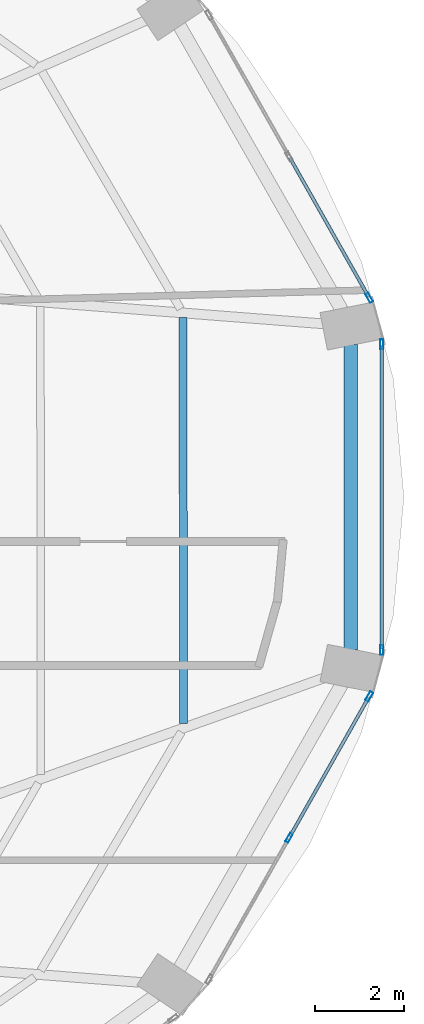
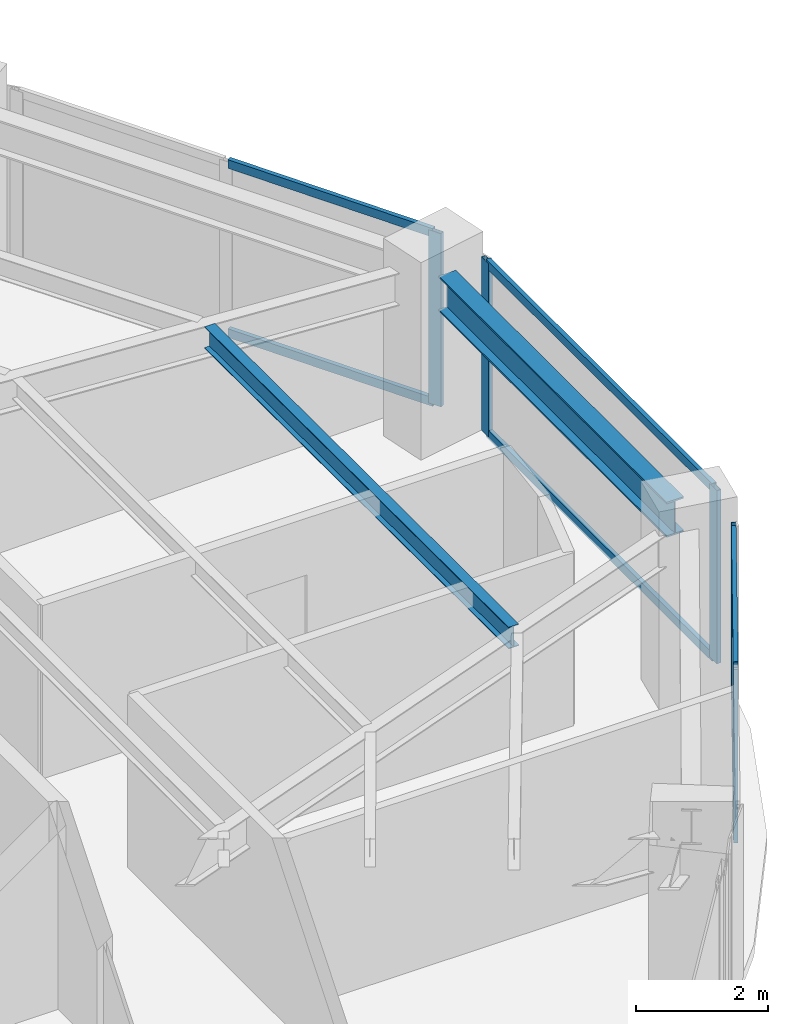
# One storey, part 12 of 24: 11 members, 2 beams, 3 elements without a shape of their own.
"""IFC4 building model written with IfcOpenShell, lengths in metres."""

from ifc_helpers import new_model, si_unit, direction, frame, origin, origin_2d, place, context, subcontext, project, spatial, hollow_rectangle, i_section, extrude, material, layer, layer_set, material_profile, profile_set, type_object, element, aggregate, save


model = new_model("IFC4")

# Units and contexts
model_context = context("Model", 3, precision=1e-05, world=origin(), true_north=direction((0.0, 1.0)))
body_context = subcontext(model_context, "Body", "Model", "MODEL_VIEW")
ifc_project = project(units=[si_unit("LENGTHUNIT", "METRE"), si_unit("AREAUNIT", "SQUARE_METRE"), si_unit("VOLUMEUNIT", "CUBIC_METRE"), si_unit("PLANEANGLEUNIT", "RADIAN"), si_unit("MASSUNIT", "GRAM", prefix="KILO")], contexts=[model_context])

# Site, building, storey
site_placement = place(None, origin())
site = spatial("IfcSite", under=ifc_project, at=site_placement, CompositionType="ELEMENT")
building_placement = place(site_placement, origin())
building = spatial("IfcBuilding", under=site, at=building_placement, Name="Lazwardi Medical Tower", CompositionType="ELEMENT")
storey_placement = place(building_placement, frame((0.0, 0.0, 72.6240234375)))
storey = spatial("IfcBuildingStorey", under=building, at=storey_placement, Name="L18", CompositionType="ELEMENT", Elevation=72.6240234375)

# Beams
ifc_material_1 = material(Name="Steel S355", Category="steel")
ifc_material_profile_1 = material_profile(ifc_material_1, i_section(OverallWidth=0.300048828125, OverallDepth=0.64990234375, WebThickness=0.01611328125, FlangeThickness=0.031005859375, at=origin_2d()), Name="HEB 650")
ifc_profile_set_1 = profile_set([ifc_material_profile_1], Name="Steel S355")
beam_type_1 = type_object("IfcBeamType", Name="BM-RB-Z1", PredefinedType="BEAM", material=ifc_profile_set_1)
beam_1_placement = place(storey_placement, frame((62.800048828125, 26.952392578125, 2.873046875), z_axis=(0.0, 1.0, 0.0), x_axis=(-1.0, 0.0, 0.0)))
element("IfcBeam", 1, at=beam_1_placement, inside=storey, type_object=beam_type_1, Name="Ring beam RB-02 B04 L18", PredefinedType="BEAM", context=body_context, shape_type="SweptSolid", body=[
    extrude(i_section(OverallWidth=0.300048828125, OverallDepth=0.64990234375, WebThickness=0.01611328125, FlangeThickness=0.031005859375, at=origin_2d()), origin(), (0.0, 0.0, 1.0), 6.895263671875),
])
ifc_material_profile_2 = material_profile(ifc_material_1, i_section(OverallWidth=0.179931640625, OverallDepth=0.39990234375, WebThickness=0.008544921875, FlangeThickness=0.013427734375, at=origin_2d()), Name="IPE 400")
ifc_profile_set_2 = profile_set([ifc_material_profile_2], Name="Steel S355")
beam_type_2 = type_object("IfcBeamType", Name="BM-SJ-01", PredefinedType="JOIST", material=ifc_profile_set_2)
beam_2_placement = place(storey_placement, frame((59.0234375, 25.291015625, 2.998046875), z_axis=(-0.002077613181, 0.999997841759, 0.0), x_axis=(-0.999997841759, -0.002077613181, 0.0)))
element("IfcBeam", 2, at=beam_2_placement, inside=storey, type_object=beam_type_2, Name="Secondary joist SJ-01 R1 B04 L18", PredefinedType="JOIST", context=body_context, shape_type="SweptSolid", body=[
    extrude(i_section(OverallWidth=0.179931640625, OverallDepth=0.39990234375, WebThickness=0.008544921875, FlangeThickness=0.013427734375, at=origin_2d()), origin(), (0.0, 0.0, 1.0), 9.165771484375),
])

# Curtain wall, members
ifc_material_2 = material(Name="Anodised bronze aluminium and solar control glazing", Category="aluminium")
ifc_layer = layer(ifc_material_2, 0.199951171875)
ifc_layer_set = layer_set([ifc_layer], Name="Anodised bronze aluminium and solar control glazing")
curtain_wall_type = type_object("IfcCurtainWallType", Name="CW-SYS-02", PredefinedType="NOTDEFINED", material=ifc_layer_set)
curtain_wall_1_placement = place(storey_placement, origin())
curtain_wall_1 = element("IfcCurtainWall", 3, at=curtain_wall_1_placement, inside=storey, type_object=curtain_wall_type, Name="L18 Unitised bronze curtain wall CW-02", PredefinedType="NOTDEFINED")
ifc_material_3 = material(Name="Anodised bronze aluminium", Category="aluminium")
ifc_material_profile_3 = material_profile(ifc_material_3, hollow_rectangle(XDim=0.074951171875, YDim=0.219970703125, WallThickness=0.00390625, at=origin_2d()), Name="ALU-MULLION 220x75x4")
ifc_profile_set_3 = profile_set([ifc_material_profile_3], Name="Anodised bronze aluminium")
member_type_1 = type_object("IfcMemberType", Name="CW-MUL-01", PredefinedType="MULLION", material=ifc_profile_set_3)
member_1_placement = place(storey_placement, frame((61.4052734375, 22.70458984375, 0.0), z_axis=(0.0, 0.0, 1.0), x_axis=(-0.870111838823, 0.492854327303, 0.0)))
member_1 = element("IfcMember", 4, at=member_1_placement, type_object=member_type_1, Name="CW-02 mullion 2", PredefinedType="MULLION", context=body_context, shape_type="SweptSolid", body=[
    extrude(hollow_rectangle(XDim=0.074951171875, YDim=0.219970703125, WallThickness=0.00390625, at=origin_2d()), origin(), (0.0, 0.0, 1.0), 3.197998046875),
])
member_2_placement = place(storey_placement, frame((63.214111328125, 25.897705078125, 0.0), z_axis=(0.0, 0.0, 1.0), x_axis=(-0.870111838823, 0.492854327303, 0.0)))
member_2 = element("IfcMember", 5, at=member_2_placement, type_object=member_type_1, Name="CW-02 mullion 3", PredefinedType="MULLION", context=body_context, shape_type="SweptSolid", body=[
    extrude(hollow_rectangle(XDim=0.074951171875, YDim=0.219970703125, WallThickness=0.00390625, at=origin_2d()), origin(), (0.0, 0.0, 1.0), 3.197998046875),
])

curtain_wall_2_placement = place(storey_placement, origin())
curtain_wall_2 = element("IfcCurtainWall", 6, at=curtain_wall_2_placement, inside=storey, type_object=curtain_wall_type, Name="L18 Unitised bronze curtain wall CW-02", PredefinedType="NOTDEFINED")
member_3_placement = place(storey_placement, frame((63.49853515625, 26.946044921875, 0.0), z_axis=(0.0, 0.0, 1.0), x_axis=(-1.0, 0.0, 0.0)))
member_3 = element("IfcMember", 7, at=member_3_placement, type_object=member_type_1, Name="CW-02 mullion 1", PredefinedType="MULLION", context=body_context, shape_type="SweptSolid", body=[
    extrude(hollow_rectangle(XDim=0.074951171875, YDim=0.219970703125, WallThickness=0.00390625, at=origin_2d()), origin(), (0.0, 0.0, 1.0), 3.197998046875),
])
member_4_placement = place(storey_placement, frame((63.49853515625, 33.85400390625, 0.0), z_axis=(0.0, 0.0, 1.0), x_axis=(-1.0, 0.0, 0.0)))
member_4 = element("IfcMember", 8, at=member_4_placement, type_object=member_type_1, Name="CW-02 mullion 2", PredefinedType="MULLION", context=body_context, shape_type="SweptSolid", body=[
    extrude(hollow_rectangle(XDim=0.074951171875, YDim=0.219970703125, WallThickness=0.00390625, at=origin_2d()), origin(), (0.0, 0.0, 1.0), 3.197998046875),
])

# Curtain wall, member
curtain_wall_3_placement = place(storey_placement, origin())
curtain_wall_3 = element("IfcCurtainWall", 9, at=curtain_wall_3_placement, inside=storey, type_object=curtain_wall_type, Name="L18 Unitised bronze curtain wall CW-02", PredefinedType="NOTDEFINED")
member_5_placement = place(storey_placement, frame((63.214111328125, 34.90234375, 0.0), z_axis=(0.0, 0.0, 1.0), x_axis=(-0.870111838823, -0.492854327303, 0.0)))
member_5 = element("IfcMember", 10, at=member_5_placement, type_object=member_type_1, Name="CW-02 mullion 1", PredefinedType="MULLION", context=body_context, shape_type="SweptSolid", body=[
    extrude(hollow_rectangle(XDim=0.074951171875, YDim=0.219970703125, WallThickness=0.00390625, at=origin_2d()), origin(), (0.0, 0.0, 1.0), 3.197998046875),
])

# Member
ifc_material_profile_4 = material_profile(ifc_material_3, hollow_rectangle(XDim=0.074951171875, YDim=0.159912109375, WallThickness=0.00390625, at=origin_2d()), Name="ALU-TRANSOM 160x75x4")
ifc_profile_set_4 = profile_set([ifc_material_profile_4], Name="Anodised bronze aluminium")
member_type_2 = type_object("IfcMemberType", Name="CW-TRN-01", PredefinedType="USERDEFINED", material=ifc_profile_set_4)
member_6_placement = place(storey_placement, frame((61.423828125, 22.737060546875, 0.03759765625), z_axis=(0.49285148925, 0.870113446365, 0.0), x_axis=(-0.870113446365, 0.49285148925, 0.0)))
member_6 = element("IfcMember", 11, at=member_6_placement, type_object=member_type_2, Name="CW-02 transom 2.1", ObjectType="TRANSOM", PredefinedType="USERDEFINED", context=body_context, shape_type="SweptSolid", body=[
    extrude(hollow_rectangle(XDim=0.074951171875, YDim=0.159912109375, WallThickness=0.00390625, at=origin_2d()), origin(), (0.0, 0.0, 1.0), 3.594970703125),
])

member_7_placement = place(storey_placement, frame((61.423828125, 22.737060546875, 3.160400390625), z_axis=(0.49285148925, 0.870113446365, 0.0), x_axis=(-0.870113446365, 0.49285148925, 0.0)))
member_7 = element("IfcMember", 12, at=member_7_placement, type_object=member_type_2, Name="CW-02 transom 2.2", ObjectType="TRANSOM", PredefinedType="USERDEFINED", context=body_context, shape_type="SweptSolid", body=[
    extrude(hollow_rectangle(XDim=0.074951171875, YDim=0.159912109375, WallThickness=0.00390625, at=origin_2d()), origin(), (0.0, 0.0, 1.0), 3.594970703125),
])

aggregate(curtain_wall_1, [member_1, member_2, member_6, member_7])

member_8_placement = place(storey_placement, frame((63.49853515625, 26.9833984375, 0.03759765625), z_axis=(0.0, 1.0, 0.0), x_axis=(-1.0, 0.0, 0.0)))
member_8 = element("IfcMember", 13, at=member_8_placement, type_object=member_type_2, Name="CW-02 transom 1.1", ObjectType="TRANSOM", PredefinedType="USERDEFINED", context=body_context, shape_type="SweptSolid", body=[
    extrude(hollow_rectangle(XDim=0.074951171875, YDim=0.159912109375, WallThickness=0.00390625, at=origin_2d()), origin(), (0.0, 0.0, 1.0), 6.8330078125),
])

member_9_placement = place(storey_placement, frame((63.49853515625, 26.9833984375, 3.160400390625), z_axis=(0.0, 1.0, 0.0), x_axis=(-1.0, 0.0, 0.0)))
member_9 = element("IfcMember", 14, at=member_9_placement, type_object=member_type_2, Name="CW-02 transom 1.2", ObjectType="TRANSOM", PredefinedType="USERDEFINED", context=body_context, shape_type="SweptSolid", body=[
    extrude(hollow_rectangle(XDim=0.074951171875, YDim=0.159912109375, WallThickness=0.00390625, at=origin_2d()), origin(), (0.0, 0.0, 1.0), 6.8330078125),
])

aggregate(curtain_wall_2, [member_3, member_4, member_8, member_9])

member_10_placement = place(storey_placement, frame((63.195556640625, 34.93505859375, 0.03759765625), z_axis=(-0.492880614687, 0.870096948429, 0.0), x_axis=(-0.870096948429, -0.492880614687, 0.0)))
member_10 = element("IfcMember", 15, at=member_10_placement, type_object=member_type_2, Name="CW-02 transom 1.1", ObjectType="TRANSOM", PredefinedType="USERDEFINED", context=body_context, shape_type="SweptSolid", body=[
    extrude(hollow_rectangle(XDim=0.074951171875, YDim=0.159912109375, WallThickness=0.00390625, at=origin_2d()), origin(), (0.0, 0.0, 1.0), 3.5947265625),
])

member_11_placement = place(storey_placement, frame((63.195556640625, 34.93505859375, 3.160400390625), z_axis=(-0.492880614687, 0.870096948429, 0.0), x_axis=(-0.870096948429, -0.492880614687, 0.0)))
member_11 = element("IfcMember", 16, at=member_11_placement, type_object=member_type_2, Name="CW-02 transom 1.2", ObjectType="TRANSOM", PredefinedType="USERDEFINED", context=body_context, shape_type="SweptSolid", body=[
    extrude(hollow_rectangle(XDim=0.074951171875, YDim=0.159912109375, WallThickness=0.00390625, at=origin_2d()), origin(), (0.0, 0.0, 1.0), 3.5947265625),
])

aggregate(curtain_wall_3, [member_5, member_10, member_11])

save(model, "model.ifc")
